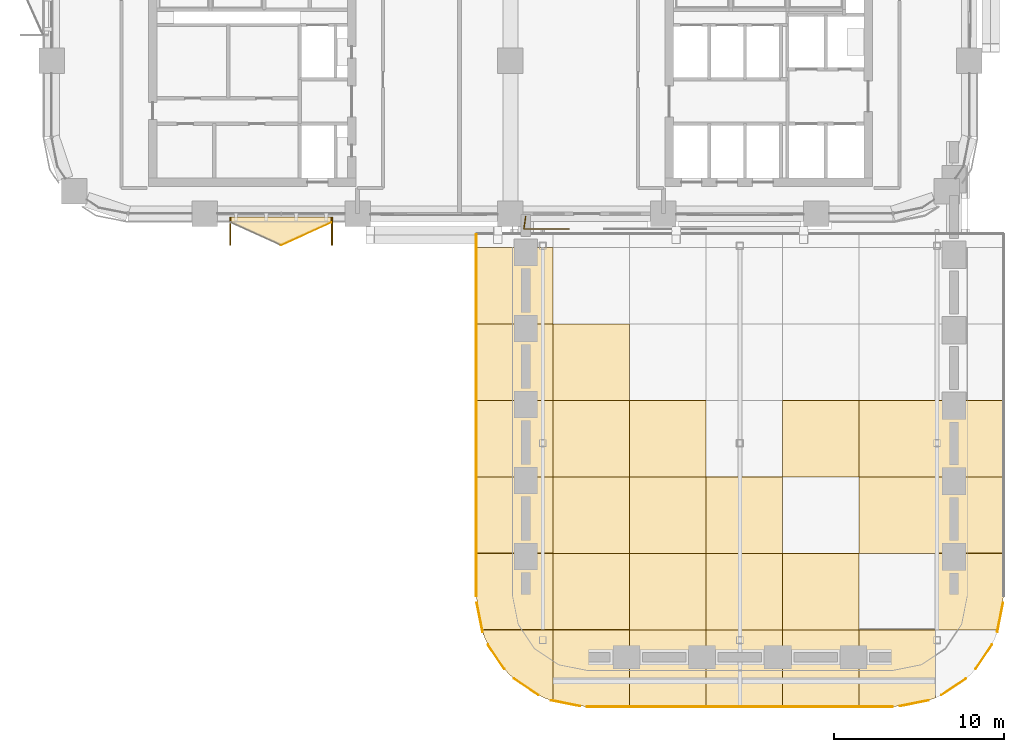
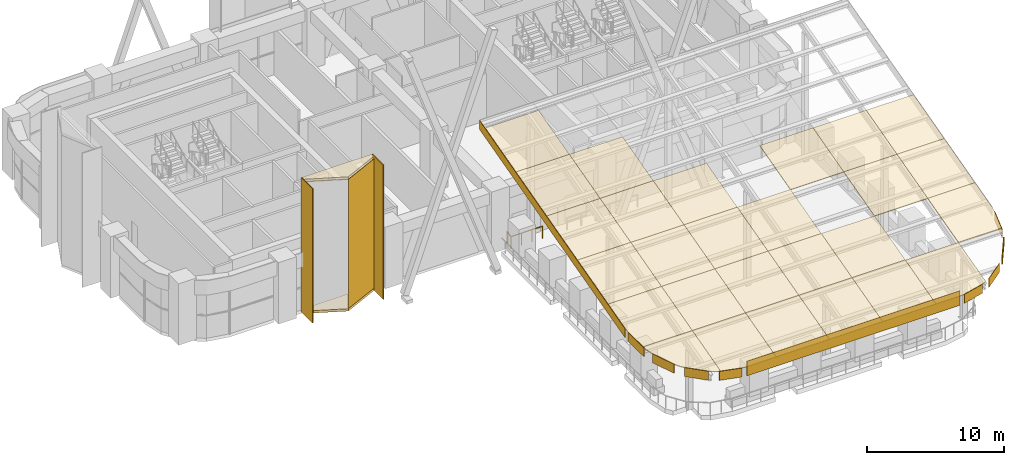
# One storey, part 18 of 22: 42 coverings, 1 railing.
"""IFC4 building model written with IfcOpenShell, lengths in metres."""

from ifc_helpers import new_model, si_unit, direction, frame, origin, origin_2d, place, context, subcontext, project, spatial, polyline, rectangle, circle, outline, extrude, material, layer, layer_set, type_object, element, save


model = new_model("IFC4")

# Units and contexts
model_context = context("Model", 3, precision=1e-05, world=origin(), true_north=direction((0.0, 1.0)))
body_context = subcontext(model_context, "Body", "Model", "MODEL_VIEW")
ifc_project = project(units=[si_unit("LENGTHUNIT", "METRE"), si_unit("AREAUNIT", "SQUARE_METRE"), si_unit("VOLUMEUNIT", "CUBIC_METRE"), si_unit("PLANEANGLEUNIT", "RADIAN"), si_unit("MASSUNIT", "GRAM", prefix="KILO")], contexts=[model_context])

# Site, building, storey
site_placement = place(None, origin())
site = spatial("IfcSite", under=ifc_project, at=site_placement, CompositionType="ELEMENT")
building_placement = place(site_placement, origin())
building = spatial("IfcBuilding", under=site, at=building_placement, Name="Tessera Arch", CompositionType="ELEMENT")
storey_placement = place(building_placement, frame((0.0, 0.0, 129.39990234375)))
storey = spatial("IfcBuildingStorey", under=building, at=storey_placement, Name="L30", CompositionType="ELEMENT", Elevation=129.39990234375)

# Coverings
ifc_material_1 = material(Name="Aluminium cladding pale metal anodised", Category="aluminium")
ifc_layer_1 = layer(ifc_material_1, 0.0400390625)
ifc_layer_set_1 = layer_set([ifc_layer_1], Name="Canopy fascia pale metal")
covering_type_1 = type_object("IfcCoveringType", Name="Canopy fascia pale metal", PredefinedType="CLADDING", material=ifc_layer_set_1)
covering_1_placement = place(storey_placement, frame((25.0, 25.800048828125, 12.649169921875), z_axis=(1.0, 0.0, 0.0), x_axis=(0.0, -0.965923488686, -0.258827768997)))
element("IfcCovering", 1, at=covering_1_placement, inside=storey, type_object=covering_type_1, Name="CANOPY T3 fascia 3", PredefinedType="CLADDING", context=body_context, shape_type="SweptSolid", body=[
    extrude(outline(polyline([(0.0, 0.0), (22.05047554500242, 0.0), (22.257487207900994, 0.7725501340178127), (0.20707485327186315, 0.7727859551820427), (0.0, 0.0)])), origin(), (0.0, 0.0, -1.0), 0.0400390625),
])
covering_2_placement = place(storey_placement, frame((25.03857421875, 4.10888671875, 6.8369140625), z_axis=(0.980778374738, 0.195125035928, 0.0), x_axis=(0.188716465234, -0.94856627279, -0.254181277585)))
element("IfcCovering", 2, at=covering_2_placement, inside=storey, type_object=covering_type_1, Name="CANOPY T3 fascia 7", PredefinedType="CLADDING", context=body_context, shape_type="SweptSolid", body=[
    extrude(outline(polyline([(0.0, 0.0), (1.8124598465779758, 0.0), (2.0157552238653285, 0.7735363777616187), (0.2032953772873528, 0.7735363777616187), (0.0, 0.0)])), origin(), (0.0, 0.0, -1.0), 0.0400390625),
])
covering_3_placement = place(storey_placement, frame((25.6806640625, 1.6650390625, 6.18212890625), z_axis=(0.831428006963, 0.555632494764, 0.0), x_axis=(0.542346443165, -0.811547248538, -0.217373869119)))
element("IfcCovering", 3, at=covering_3_placement, inside=storey, type_object=covering_type_1, Name="CANOPY T3 fascia 13", PredefinedType="CLADDING", context=body_context, shape_type="SweptSolid", body=[
    extrude(outline(polyline([(0.0, 0.0), (1.7947728507158387, 0.0), (1.9686825599695634, 0.7809183954879478), (0.17390970925372481, 0.7809183954879477), (0.0, 0.0)])), origin(), (0.0, 0.0, -1.0), 0.0400390625),
])
covering_4_placement = place(storey_placement, frame((27.20849609375, -0.345947265625, 5.643310546875), z_axis=(0.555632494764, 0.831428006963, 0.0), x_axis=(0.822369082622, -0.549578533761, -0.147215920255)))
element("IfcCovering", 4, at=covering_4_placement, inside=storey, type_object=covering_type_1, Name="CANOPY T3 fascia 19", PredefinedType="CLADDING", context=body_context, shape_type="SweptSolid", body=[
    extrude(outline(polyline([(0.0, 0.0), (1.771154825161235, 0.0), (1.888934749642503, 0.7913317994200488), (0.1177799244812682, 0.7913317994200489), (0.0, 0.0)])), origin(), (0.0, 0.0, -1.0), 0.0400390625),
])
covering_5_placement = place(storey_placement, frame((29.3896484375, -1.619384765625, 5.302001953125), z_axis=(0.195125035928, 0.980778374738, 0.0), x_axis=(0.979443422429, -0.194859448285, -0.052157239905)))
element("IfcCovering", 5, at=covering_5_placement, inside=storey, type_object=covering_type_1, Name="CANOPY T3 fascia 25", PredefinedType="CLADDING", context=body_context, shape_type="SweptSolid", body=[
    extrude(outline(polyline([(0.0, 0.0), (1.7553216876848456, -1.3877787807814457e-17), (1.7970500263490627, 0.7989598695407112), (0.04171560496306831, 0.7987160612192157), (0.0, 0.0)])), origin(), (0.0, 0.0, -1.0), 0.0400390625),
])
covering_6_placement = place(storey_placement, frame((31.5009765625, -2.0, 5.7001953125), z_axis=(0.0, 1.0, 0.0), x_axis=(1.0, 0.0, 0.0)))
element("IfcCovering", 6, at=covering_6_placement, inside=storey, type_object=covering_type_1, Name="CANOPY T3 fascia 29", PredefinedType="CLADDING", context=body_context, shape_type="SweptSolid", body=[
    extrude(outline(polyline([(0.0, 0.0), (17.998046875, 0.0), (17.998046875, 1.300048828125), (0.0, 1.300048828125), (0.0, 0.0)])), origin(), (0.0, 0.0, -1.0), 0.0400390625),
])
covering_7_placement = place(storey_placement, frame((49.89111328125, -1.96142578125, 5.21044921875), z_axis=(-0.195125035928, 0.980778374738, 0.0), x_axis=(0.979443422429, 0.194859448285, 0.052157239905)))
element("IfcCovering", 7, at=covering_7_placement, inside=storey, type_object=covering_type_1, Name="CANOPY T3 fascia 33", PredefinedType="CLADDING", context=body_context, shape_type="SweptSolid", body=[
    extrude(outline(polyline([(0.0, 0.0), (1.7553216876848456, 1.3877787807814457e-17), (1.7136060827217774, 0.7987160612192157), (-0.041728338664216984, 0.7989598695407112), (0.0, 0.0)])), origin(), (0.0, 0.0, -1.0), 0.0400390625),
])
covering_8_placement = place(storey_placement, frame((52.3349609375, -1.3193359375, 5.382568359375), z_axis=(-0.555632494764, 0.831428006963, 0.0), x_axis=(0.822369082622, 0.549578533761, 0.147215920255)))
element("IfcCovering", 8, at=covering_8_placement, inside=storey, type_object=covering_type_1, Name="CANOPY T3 fascia 39", PredefinedType="CLADDING", context=body_context, shape_type="SweptSolid", body=[
    extrude(outline(polyline([(0.0, 0.0), (1.771154825161235, 0.0), (1.6533749006799667, 0.791331799420049), (-0.1177799244812682, 0.7913317994200489), (0.0, 0.0)])), origin(), (0.0, 0.0, -1.0), 0.0400390625),
])
covering_9_placement = place(storey_placement, frame((54.345947265625, 0.20849609375, 5.7919921875), z_axis=(-0.831428006963, 0.555632494764, 0.0), x_axis=(0.542346443165, 0.811547248538, 0.217373869119)))
element("IfcCovering", 9, at=covering_9_placement, inside=storey, type_object=covering_type_1, Name="CANOPY T3 fascia 45", PredefinedType="CLADDING", context=body_context, shape_type="SweptSolid", body=[
    extrude(outline(polyline([(0.0, 0.0), (1.7947728507158387, 0.0), (1.6208631414621137, 0.7809183954879477), (-0.17390970925372481, 0.7809183954879477), (0.0, 0.0)])), origin(), (0.0, 0.0, -1.0), 0.0400390625),
])
covering_10_placement = place(storey_placement, frame((55.619384765625, 2.3896484375, 6.376220703125), z_axis=(-0.980778374738, 0.195125035928, 0.0), x_axis=(0.188716465234, 0.94856627279, 0.254181277585)))
element("IfcCovering", 10, at=covering_10_placement, inside=storey, type_object=covering_type_1, Name="CANOPY T3 fascia 51", PredefinedType="CLADDING", context=body_context, shape_type="SweptSolid", body=[
    extrude(outline(polyline([(0.0, 0.0), (1.8124598465779758, 0.0), (1.609164469290623, 0.7735363777616187), (-0.2032953772873528, 0.7735363777616187), (0.0, 0.0)])), origin(), (0.0, 0.0, -1.0), 0.0400390625),
])
ifc_material_2 = material(Name="Aluminium cladding pale metal anodised", Category="aluminium")
ifc_layer_2 = layer(ifc_material_2, 0.080078125)
ifc_layer_set_2 = layer_set([ifc_layer_2], Name="Canopy panel pale metal")
covering_type_2 = type_object("IfcCoveringType", Name="Canopy panel pale metal", PredefinedType="CLADDING", material=ifc_layer_set_2)
covering_11_placement = place(storey_placement, frame((29.5, 2.5, 6.406005859375), z_axis=(-3.584263e-06, -0.258855398577, 0.965916084665), x_axis=(-0.999999999994, 9.27806e-07, -3.462097e-06)))
element("IfcCovering", 11, at=covering_11_placement, inside=storey, type_object=covering_type_2, Name="CANOPY T3 panel 1-1", PredefinedType="CLADDING", context=body_context, shape_type="SweptSolid", body=[
    extrude(outline(polyline([(0.0, 0.0), (4.141357421848398, 0.0), (4.097656250603278, 0.21438375748954458), (4.040283203596868, 0.4097539237387333), (3.965332031624114, 0.5975439323392973), (3.872314453435021, 0.7777537832912363), (3.8193359378776344, 0.8644539575372039), (2.845947265311107, 2.372341234899879), (2.788818359084697, 2.4562578048667647), (2.663818359740165, 2.614026199348232), (2.5241699222224483, 2.7583482111475073), (2.3715820311938725, 2.8879815463627514), (2.291503906274192, 2.946374039104681), (0.8349609371326853, 3.9540803367771358), (0.7519531249563116, 4.008446931338143), (0.5778808592445154, 4.104740212323197), (0.39575195315732437, 4.1828537543753095), (0.20703125005252082, 4.242252721662468), (7.910127752410427e-11, 4.287497848197608), (0.0, 0.0)])), origin(), (0.0, 0.0, -1.0), 0.080078125),
])
covering_12_placement = place(storey_placement, frame((25.358642578125, 2.5, 6.406005859375), z_axis=(-1.7317048e-05, -0.258779034348, 0.965936546095), x_axis=(0.99999999985, -4.481289e-06, 1.672717e-05)))
element("IfcCovering", 12, at=covering_12_placement, inside=storey, type_object=covering_type_2, Name="CANOPY T3 panel 1-2", PredefinedType="CLADDING", context=body_context, shape_type="SweptSolid", body=[
    extrude(outline(polyline([(0.0, 0.0), (4.141357421254044, 3.507866182684252e-21), (4.141357421167389, 4.658689768578017), (-0.3586425781578801, 4.658689768578017), (-0.35864258112473674, 2.071493142934842), (-0.35620117173325505, 1.9689251806577017), (-0.3369140651224465, 1.7666823268039251), (-0.3200683613387312, 1.6655924891146328), (0.0, 0.0)])), origin(), (0.0, 0.0, -1.0), 0.080078125),
])
for number, where, z_axis, x_axis, name in (
    (13, (25.0, 7.0, 7.611572265625), (0.0, -0.258826891896, 0.965923723713), (1.0, 0.0, 0.0), "CANOPY T3 panel 1-3"),
    (14, (25.0, 11.5, 8.8173828125), (0.0, -0.258826891896, 0.965923723713), (1.0, 0.0, 0.0), "CANOPY T3 panel 1-4"),
    (15, (25.0, 16.0, 10.023193359375), (0.0, -0.258826891896, 0.965923723713), (1.0, 0.0, 0.0), "CANOPY T3 panel 1-5"),
    (16, (25.0, 20.5, 11.22900390625), (0.0, -0.258826891896, 0.965923723713), (1.0, 0.0, 0.0), "CANOPY T3 panel 1-6"),
):
    element("IfcCovering", number, at=place(storey_placement, frame(where, z_axis=z_axis, x_axis=x_axis)), inside=storey, type_object=covering_type_2, Name=name, PredefinedType="CLADDING", context=body_context, shape_type="SweptSolid", body=[
        extrude(outline(polyline([(0.0, 0.0), (4.5, 0.0), (4.5, 4.658752952771266), (0.0, 4.658752952771266), (0.0, 0.0)])), origin(), (0.0, 0.0, -1.0), 0.080078125),
    ])
covering_13_placement = place(storey_placement, frame((34.0, -2.0, 5.2001953125), z_axis=(-1.7578264e-05, -0.25883814498, 0.96592070813), x_axis=(-2.05e-10, 0.965920708279, 0.25883814502)))
element("IfcCovering", 17, at=covering_13_placement, inside=storey, type_object=covering_type_2, Name="CANOPY T3 panel 2-1", PredefinedType="CLADDING", context=body_context, shape_type="SweptSolid", body=[
    extrude(outline(polyline([(0.0, 0.0), (4.658752952455109, 3.3881317890172014e-21), (4.65875295337666, 4.499999999304761), (0.3712551062572483, 4.500000001916956), (0.03991373936134469, 2.8911132822017476), (0.022441460623902988, 2.793457034334704), (0.0024845911992670915, 2.5981445336656703), (5.117729161565183e-10, 2.4990234371139066), (0.0, 0.0)])), origin(), (0.0, 0.0, -1.0), 0.080078125),
])
covering_14_placement = place(storey_placement, frame((34.0, 2.5, 6.406005859375), z_axis=(0.0, -0.258777996848, 0.965936824201), x_axis=(0.0, 0.965936824201, 0.258777996848)))
element("IfcCovering", 18, at=covering_14_placement, inside=storey, type_object=covering_type_2, Name="CANOPY T3 panel 2-2", PredefinedType="CLADDING", context=body_context, shape_type="SweptSolid", body=[
    extrude(outline(polyline([(0.0, 0.0), (4.658689768580706, 0.0), (4.658689768580706, 4.5), (0.0, 4.5), (0.0, 0.0)])), origin(), (0.0, 0.0, -1.0), 0.080078125),
])
for number, where, z_axis, x_axis, name in (
    (19, (34.0, 7.0, 7.611572265625), (0.0, -0.258826891896, 0.965923723713), (0.0, 0.965923723713, 0.258826891896), "CANOPY T3 panel 2-3"),
    (20, (34.0, 11.5, 8.8173828125), (0.0, -0.258826891896, 0.965923723713), (0.0, 0.965923723713, 0.258826891896), "CANOPY T3 panel 2-4"),
    (21, (34.0, 16.0, 10.023193359375), (0.0, -0.258826891896, 0.965923723713), (0.0, 0.965923723713, 0.258826891896), "CANOPY T3 panel 2-5"),
    (22, (38.5, -2.0, 5.2001953125), (0.0, -0.258826891896, 0.965923723713), (0.0, 0.965923723713, 0.258826891896), "CANOPY T3 panel 3-1"),
):
    element("IfcCovering", number, at=place(storey_placement, frame(where, z_axis=z_axis, x_axis=x_axis)), inside=storey, type_object=covering_type_2, Name=name, PredefinedType="CLADDING", context=body_context, shape_type="SweptSolid", body=[
        extrude(outline(polyline([(0.0, 0.0), (4.658752952771266, 0.0), (4.658752952771266, 4.500000000000001), (0.0, 4.500000000000001), (0.0, 0.0)])), origin(), (0.0, 0.0, -1.0), 0.080078125),
    ])
covering_15_placement = place(storey_placement, frame((38.5, 2.5, 6.406005859375), z_axis=(0.0, -0.258777996848, 0.965936824201), x_axis=(0.0, 0.965936824201, 0.258777996848)))
element("IfcCovering", 23, at=covering_15_placement, inside=storey, type_object=covering_type_2, Name="CANOPY T3 panel 3-2", PredefinedType="CLADDING", context=body_context, shape_type="SweptSolid", body=[
    extrude(outline(polyline([(0.0, 0.0), (4.658689768580706, 0.0), (4.658689768580706, 4.5), (0.0, 4.5), (0.0, 0.0)])), origin(), (0.0, 0.0, -1.0), 0.080078125),
])
for number, where, z_axis, x_axis, name in (
    (24, (38.5, 7.0, 7.611572265625), (0.0, -0.258826891896, 0.965923723713), (0.0, 0.965923723713, 0.258826891896), "CANOPY T3 panel 3-3"),
    (25, (38.5, 11.5, 8.8173828125), (0.0, -0.258826891896, 0.965923723713), (0.0, 0.965923723713, 0.258826891896), "CANOPY T3 panel 3-4"),
    (26, (43.0, -2.0, 5.2001953125), (0.0, -0.258826891896, 0.965923723713), (0.0, 0.965923723713, 0.258826891896), "CANOPY T3 panel 4-1"),
):
    element("IfcCovering", number, at=place(storey_placement, frame(where, z_axis=z_axis, x_axis=x_axis)), inside=storey, type_object=covering_type_2, Name=name, PredefinedType="CLADDING", context=body_context, shape_type="SweptSolid", body=[
        extrude(outline(polyline([(0.0, 0.0), (4.658752952771266, 0.0), (4.658752952771266, 4.500000000000001), (0.0, 4.500000000000001), (0.0, 0.0)])), origin(), (0.0, 0.0, -1.0), 0.080078125),
    ])
covering_16_placement = place(storey_placement, frame((43.0, 2.5, 6.406005859375), z_axis=(0.0, -0.258777996848, 0.965936824201), x_axis=(0.0, 0.965936824201, 0.258777996848)))
element("IfcCovering", 27, at=covering_16_placement, inside=storey, type_object=covering_type_2, Name="CANOPY T3 panel 4-2", PredefinedType="CLADDING", context=body_context, shape_type="SweptSolid", body=[
    extrude(outline(polyline([(0.0, 0.0), (4.658689768580706, 0.0), (4.658689768580706, 4.5), (0.0, 4.5), (0.0, 0.0)])), origin(), (0.0, 0.0, -1.0), 0.080078125),
])
for number, where, z_axis, x_axis, name in (
    (28, (43.0, 7.0, 7.611572265625), (0.0, -0.258826891896, 0.965923723713), (0.0, 0.965923723713, 0.258826891896), "CANOPY T3 panel 4-3"),
    (29, (47.5, -2.0, 5.2001953125), (0.0, -0.258826891896, 0.965923723713), (0.0, 0.965923723713, 0.258826891896), "CANOPY T3 panel 5-1"),
):
    element("IfcCovering", number, at=place(storey_placement, frame(where, z_axis=z_axis, x_axis=x_axis)), inside=storey, type_object=covering_type_2, Name=name, PredefinedType="CLADDING", context=body_context, shape_type="SweptSolid", body=[
        extrude(outline(polyline([(0.0, 0.0), (4.658752952771266, 0.0), (4.658752952771266, 4.500000000000001), (0.0, 4.500000000000001), (0.0, 0.0)])), origin(), (0.0, 0.0, -1.0), 0.080078125),
    ])
covering_17_placement = place(storey_placement, frame((47.5, 2.5, 6.406005859375), z_axis=(0.0, -0.258777996848, 0.965936824201), x_axis=(0.0, 0.965936824201, 0.258777996848)))
element("IfcCovering", 30, at=covering_17_placement, inside=storey, type_object=covering_type_2, Name="CANOPY T3 panel 5-2", PredefinedType="CLADDING", context=body_context, shape_type="SweptSolid", body=[
    extrude(outline(polyline([(0.0, 0.0), (4.658689768580706, 0.0), (4.658689768580706, 4.5), (0.0, 4.5), (0.0, 0.0)])), origin(), (0.0, 0.0, -1.0), 0.080078125),
])
covering_18_placement = place(storey_placement, frame((47.5, 11.5, 8.8173828125), z_axis=(0.0, -0.258826891896, 0.965923723713), x_axis=(0.0, 0.965923723713, 0.258826891896)))
element("IfcCovering", 31, at=covering_18_placement, inside=storey, type_object=covering_type_2, Name="CANOPY T3 panel 5-4", PredefinedType="CLADDING", context=body_context, shape_type="SweptSolid", body=[
    extrude(outline(polyline([(0.0, 0.0), (4.658752952771266, 0.0), (4.658752952771266, 4.500000000000001), (0.0, 4.500000000000001), (0.0, 0.0)])), origin(), (0.0, 0.0, -1.0), 0.080078125),
])
covering_19_placement = place(storey_placement, frame((52.0, -1.497314453125, 5.334716796875), z_axis=(2.0766232e-05, -0.258842670285, 0.965919495408), x_axis=(-5.19e-10, 0.965919495616, 0.258842670341)))
element("IfcCovering", 32, at=covering_19_placement, inside=storey, type_object=covering_type_2, Name="CANOPY T3 panel 6-1", PredefinedType="CLADDING", context=body_context, shape_type="SweptSolid", body=[
    extrude(outline(polyline([(0.0, 0.0), (4.138379282024975, 0.0), (4.13837928436082, 4.499999999029718), (-0.520373667788884, 4.500000003028304), (-0.52037366882653, 2.5009765659593297), (-0.5178890789617606, 2.401855468900591), (-0.4979322098661672, 2.2065429680995585), (-0.4804599306361036, 2.1088867206075803), (-0.12637809199344804, 0.3896484374213684), (-0.10387343891912222, 0.29296875066602146), (-0.0444744718048749, 0.10424804767712403), (0.0, 0.0)])), origin(), (0.0, 0.0, -1.0), 0.080078125),
])
for number, where, z_axis, x_axis, name in (
    (33, (52.0, 7.0, 7.611572265625), (0.0, -0.258826891896, 0.965923723713), (0.0, 0.965923723713, 0.258826891896), "CANOPY T3 panel 6-3"),
    (34, (52.0, 11.5, 8.8173828125), (0.0, -0.258826891896, 0.965923723713), (0.0, 0.965923723713, 0.258826891896), "CANOPY T3 panel 6-4"),
):
    element("IfcCovering", number, at=place(storey_placement, frame(where, z_axis=z_axis, x_axis=x_axis)), inside=storey, type_object=covering_type_2, Name=name, PredefinedType="CLADDING", context=body_context, shape_type="SweptSolid", body=[
        extrude(outline(polyline([(0.0, 0.0), (4.658752952771266, 0.0), (4.658752952771266, 4.500000000000001), (0.0, 4.500000000000001), (0.0, 0.0)])), origin(), (0.0, 0.0, -1.0), 0.080078125),
    ])
covering_20_placement = place(storey_placement, frame((56.0, 4.5009765625, 6.94189453125), z_axis=(1.9521476e-05, -0.258779166415, 0.965936510672), x_axis=(-1.29e-09, 0.965936510856, 0.258779166464)))
element("IfcCovering", 35, at=covering_20_placement, inside=storey, type_object=covering_type_2, Name="CANOPY T3 panel 7-2", PredefinedType="CLADDING", context=body_context, shape_type="SweptSolid", body=[
    extrude(outline(polyline([(0.0, 0.0), (2.587196625666577, -1.6940658945086007e-21), (2.587196630826797, 3.9999999992378243), (-2.0714931377504926, 4.0000000053579114), (-2.0714931424480443, 0.3586425841767503), (-0.4059006537622168, 0.038574220441774734), (-0.30481081609987853, 0.021728516443887402), (-0.10256796224918203, 0.0024414099239259573), (0.0, 0.0)])), origin(), (0.0, 0.0, -1.0), 0.080078125),
])
for number, where, z_axis, x_axis, name in (
    (36, (56.0, 11.5, 8.8173828125), (0.0, -0.258826891896, 0.965923723713), (-1.0, 0.0, 0.0), "CANOPY T3 panel 7-3"),
    (37, (56.0, 16.0, 10.023193359375), (0.0, -0.258826891896, 0.965923723713), (-1.0, 0.0, 0.0), "CANOPY T3 panel 7-4"),
):
    element("IfcCovering", number, at=place(storey_placement, frame(where, z_axis=z_axis, x_axis=x_axis)), inside=storey, type_object=covering_type_2, Name=name, PredefinedType="CLADDING", context=body_context, shape_type="SweptSolid", body=[
        extrude(outline(polyline([(0.0, 0.0), (4.0, 0.0), (4.0, 4.658752952771266), (0.0, 4.658752952771266), (0.0, 0.0)])), origin(), (0.0, 0.0, -1.0), 0.080078125),
    ])

# Railing
ifc_material_3 = material(Name="Stainless steel and clear glass", Category="steel")
railing_type = type_object("IfcRailingType", Name="Guard 1100", PredefinedType="GUARDRAIL", material=ifc_material_3)
railing_placement = place(storey_placement, frame((27.890869140625, 26.822509765625, 0.0)))
element("IfcRailing", 38, at=railing_placement, inside=storey, type_object=railing_type, Name="Guard terrace wall side 2.1", PredefinedType="GUARDRAIL", context=body_context, shape_type="SweptSolid", body=[
    extrude(circle(Radius=0.02490234375, at=origin_2d()), frame((0.00048828125, 0.00390625, 1.0751953125), z_axis=(-0.141748975842, -0.989902635539, 0.0), x_axis=(0.989902635539, -0.141748975842, 0.0)), (0.0, 0.0, 1.0), 0.73828125),
    extrude(circle(Radius=0.02490234375, at=origin_2d()), frame((-0.107421875, -0.722900390625, 1.0751953125), z_axis=(0.999999983188, 0.000183368476, 0.0), x_axis=(-0.000183368476, 0.999999983188, 0.0)), (0.0, 0.0, 1.0), 2.6708984375),
    extrude(circle(Radius=0.02001953125, at=origin_2d()), origin(), (0.0, 0.0, 1.0), 1.06201171875),
    extrude(circle(Radius=0.02001953125, at=origin_2d()), frame((-0.103515625, -0.722900390625, 0.0)), (0.0, 0.0, 1.0), 1.06201171875),
    extrude(circle(Radius=0.02001953125, at=origin_2d()), frame((0.7841796875, -0.72265625, 0.0)), (0.0, 0.0, 1.0), 1.06201171875),
    extrude(circle(Radius=0.02001953125, at=origin_2d()), frame((1.671630859375, -0.72265625, 0.0)), (0.0, 0.0, 1.0), 1.06201171875),
    extrude(circle(Radius=0.02001953125, at=origin_2d()), frame((2.559326171875, -0.722412109375, 0.0)), (0.0, 0.0, 1.0), 1.06201171875),
])

# Coverings
ifc_material_4 = material(Name="Anodised aluminium pale metal", Category="aluminium")
ifc_layer_3 = layer(ifc_material_4, 0.080078125)
ifc_layer_set_3 = layer_set([ifc_layer_3], Name="Window box cheek")
covering_type_3 = type_object("IfcCoveringType", Name="Window box cheek", PredefinedType="CLADDING", material=ifc_layer_set_3)
covering_21_placement = place(storey_placement, origin())
element("IfcCovering", 39, at=covering_21_placement, inside=storey, type_object=covering_type_3, Name="Window box S27.0/1.0 2x3 cheek", PredefinedType="CLADDING", context=body_context, shape_type="SweptSolid", body=[
    extrude(outline(polyline([(10.469970703125, 25.14990234375), (10.550048828125, 25.14990234375), (10.550048828125, 26.800048828125), (10.469970703125, 26.800048828125), (10.469970703125, 25.14990234375)])), origin(), (0.0, 0.0, 1.0), 12.0),
])
covering_22_placement = place(storey_placement, origin())
element("IfcCovering", 40, at=covering_22_placement, inside=storey, type_object=covering_type_3, Name="Window box S27.0/1.0 2x3 cheek", PredefinedType="CLADDING", context=body_context, shape_type="SweptSolid", body=[
    extrude(outline(polyline([(16.449951171875, 25.14990234375), (16.530029296875, 25.14990234375), (16.530029296875, 26.800048828125), (16.449951171875, 26.800048828125), (16.449951171875, 25.14990234375)])), origin(), (0.0, 0.0, 1.0), 12.0),
])
ifc_material_5 = material(Name="Anodised aluminium cobalt blue", Category="aluminium")
ifc_layer_4 = layer(ifc_material_5, 0.219970703125)
ifc_layer_set_4 = layer_set([ifc_layer_4], Name="Window box frame plate cobalt")
covering_type_4 = type_object("IfcCoveringType", Name="Window box frame plate cobalt", PredefinedType="CLADDING", material=ifc_layer_set_4)
covering_23_placement = place(storey_placement, origin())
element("IfcCovering", 41, at=covering_23_placement, inside=storey, type_object=covering_type_4, Name="Window box S27.0/1.0 2x3 floor", PredefinedType="CLADDING", context=body_context, shape_type="SweptSolid", body=[
    extrude(outline(polyline([(10.550048828125, 26.489990234375), (13.5, 25.14990234375), (16.449951171875, 26.489990234375), (16.449951171875, 26.800048828125), (10.550048828125, 26.800048828125), (10.550048828125, 26.489990234375)])), origin(), (0.0, 0.0, 1.0), 0.22021484375),
])
covering_24_placement = place(storey_placement, frame((0.0, 0.0, 11.780029296875)))
element("IfcCovering", 42, at=covering_24_placement, inside=storey, type_object=covering_type_4, Name="Window box S27.0/1.0 2x3 roof", PredefinedType="CLADDING", context=body_context, shape_type="SweptSolid", body=[
    extrude(outline(polyline([(10.550048828125, 26.489990234375), (13.5, 25.14990234375), (16.449951171875, 26.489990234375), (16.449951171875, 26.800048828125), (10.550048828125, 26.800048828125), (10.550048828125, 26.489990234375)])), origin(), (0.0, 0.0, 1.0), 0.219970703125),
])
ifc_material_6 = material(Name="Anodised aluminium pale metal", Category="aluminium")
ifc_layer_5 = layer(ifc_material_6, 0.028076171875)
ifc_layer_set_5 = layer_set([ifc_layer_5], Name="Window box side panel")
covering_type_5 = type_object("IfcCoveringType", Name="Window box side panel", PredefinedType="CLADDING", material=ifc_layer_set_5)
covering_25_placement = place(storey_placement, frame((14.97509765625, 25.820068359375, 0.219970703125), z_axis=(0.0, 0.0, 1.0), x_axis=(-0.910472144558, -0.413570397858, 0.0)))
element("IfcCovering", 43, at=covering_25_placement, inside=storey, type_object=covering_type_5, Name="Window box S27.0/1.0 2x3 side panel", PredefinedType="CLADDING", context=body_context, shape_type="SweptSolid", body=[
    extrude(rectangle(XDim=3.239990234375, YDim=0.028076171875, at=origin_2d()), origin(), (0.0, 0.0, 1.0), 11.56005859375),
])

save(model, "model.ifc")
